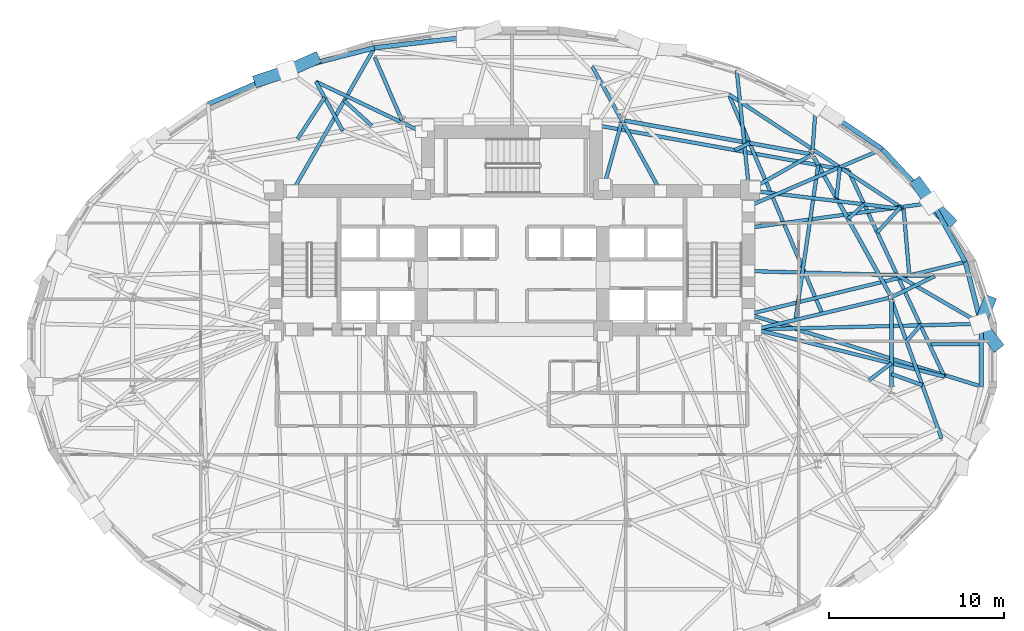
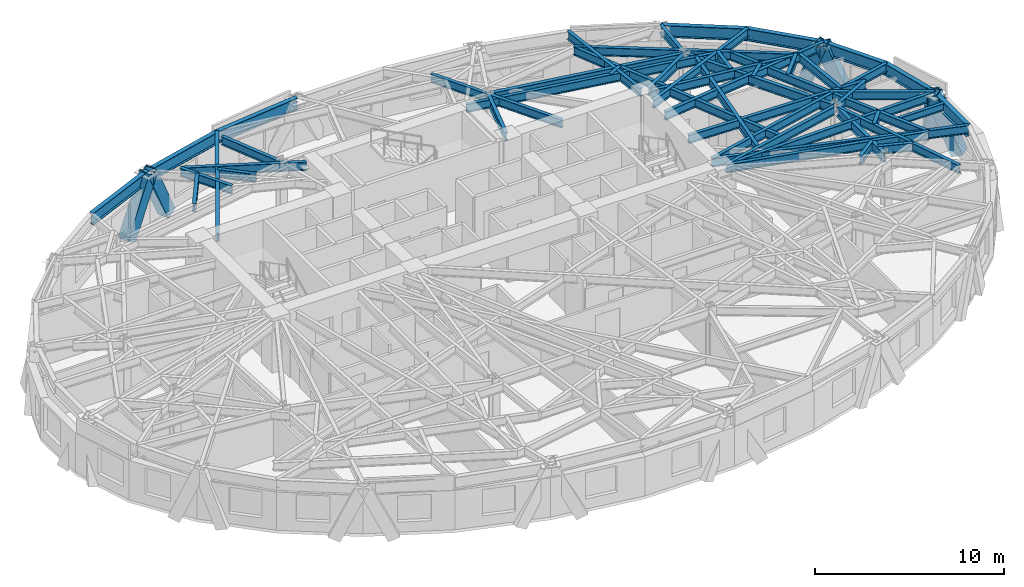
# One storey, part 4 of 15: 48 beams, 6 members.
"""IFC4 building model written with IfcOpenShell, lengths in metres."""

from ifc_helpers import new_model, si_unit, direction, frame, origin, origin_2d, place, context, subcontext, project, spatial, hollow_rectangle, i_section, extrude, material, material_profile, profile_set, type_object, element, save


model = new_model("IFC4")

# Units and contexts
model_context = context("Model", 3, precision=1e-05, world=origin(), true_north=direction((0.0, 1.0)))
body_context = subcontext(model_context, "Body", "Model", "MODEL_VIEW")
ifc_project = project(units=[si_unit("LENGTHUNIT", "METRE"), si_unit("AREAUNIT", "SQUARE_METRE"), si_unit("VOLUMEUNIT", "CUBIC_METRE"), si_unit("PLANEANGLEUNIT", "RADIAN"), si_unit("MASSUNIT", "GRAM", prefix="KILO")], contexts=[model_context])

# Site, building, storey
site_placement = place(None, origin())
site = spatial("IfcSite", under=ifc_project, at=site_placement, CompositionType="ELEMENT")
building_placement = place(site_placement, origin())
building = spatial("IfcBuilding", under=site, at=building_placement, Name="Keldmark Tower", CompositionType="ELEMENT")
storey_placement = place(building_placement, frame((0.0, 0.0, 110.60009765625)))
storey = spatial("IfcBuildingStorey", under=building, at=storey_placement, Name="L29", CompositionType="ELEMENT", Elevation=110.60009765625)

# Beam
ifc_material_1 = material(Name="Steel ASTM A992 Grade 50", Category="steel")
ifc_material_profile_1 = material_profile(ifc_material_1, i_section(OverallWidth=0.19091796875, OverallDepth=0.45703125, WebThickness=0.009033203125, FlangeThickness=0.014404296875, at=origin_2d()), Name="W18X50")
ifc_profile_set_1 = profile_set([ifc_material_profile_1], Name="Steel ASTM A992 Grade 50")
beam_type_1 = type_object("IfcBeamType", Name="Composite Floor Joist W18X50", PredefinedType="JOIST", material=ifc_profile_set_1)
beam_1_placement = place(storey_placement, frame((23.96826171875, 0.6201171875, 3.081298828125), z_axis=(1.0, 0.0, 0.0), x_axis=(0.0, 1.0, 0.0)))
element("IfcBeam", 1, at=beam_1_placement, inside=storey, type_object=beam_type_1, Name="L29 Composite Floor Joist J08", PredefinedType="JOIST", context=body_context, shape_type="SweptSolid", body=[
    extrude(i_section(OverallWidth=0.19091796875, OverallDepth=0.45703125, WebThickness=0.009033203125, FlangeThickness=0.014404296875, at=origin_2d()), origin(), (0.0, 0.0, 1.0), 2.72705078125),
])

# Members
ifc_material_2 = material(Name="Steel ASTM A572 Grade 50", Category="steel")
ifc_material_profile_2 = material_profile(ifc_material_2, hollow_rectangle(XDim=0.699951171875, YDim=0.699951171875, WallThickness=0.044921875, at=origin_2d()), Name="BOX700X700X45")
ifc_profile_set_2 = profile_set([ifc_material_profile_2], Name="Steel ASTM A572 Grade 50")
member_type = type_object("IfcMemberType", Name="Diagrid Zone 2 Brace BOX700X700X45", PredefinedType="BRACE", material=ifc_profile_set_2)
member_1_placement = place(storey_placement, frame((27.25830078125, 3.0458984375, -0.27001953125), z_axis=(-0.133894710136, -0.339335710427, 0.931087258116), x_axis=(0.930205389698, -0.367039416109, 0.0)))
element("IfcMember", 2, at=member_1_placement, inside=storey, type_object=member_type, Name="L29 Perimeter Diagrid Brace 01A", PredefinedType="BRACE", context=body_context, shape_type="SweptSolid", body=[
    extrude(hollow_rectangle(XDim=0.699951171875, YDim=0.699951171875, WallThickness=0.044921875, at=origin_2d()), origin(), (0.0, 0.0, 1.0), 3.716064453125),
])
member_2_placement = place(storey_placement, frame((24.978759765625, 7.6689453125, -0.27001953125), z_axis=(-0.267017097952, 0.273407250724, 0.924094337529), x_axis=(-0.715417829902, -0.698696878953, 0.0)))
element("IfcMember", 3, at=member_2_placement, inside=storey, type_object=member_type, Name="L29 Perimeter Diagrid Brace 01B", PredefinedType="BRACE", context=body_context, shape_type="SweptSolid", body=[
    extrude(hollow_rectangle(XDim=0.699951171875, YDim=0.699951171875, WallThickness=0.044921875, at=origin_2d()), origin(), (0.0, 0.0, 1.0), 3.744140625),
])
member_3_placement = place(storey_placement, frame((23.20556640625, 9.76953125, -0.27001953125), z_axis=(0.209690541704, -0.293277166928, 0.932747758013), x_axis=(0.813462018003, 0.581618040699, 0.0)))
element("IfcMember", 4, at=member_3_placement, inside=storey, type_object=member_type, Name="L29 Perimeter Diagrid Brace 02A", PredefinedType="BRACE", context=body_context, shape_type="SweptSolid", body=[
    extrude(hollow_rectangle(XDim=0.699951171875, YDim=0.699951171875, WallThickness=0.044921875, at=origin_2d()), origin(), (0.0, 0.0, 1.0), 3.70947265625),
])
member_4_placement = place(storey_placement, frame((-11.321044921875, 16.91455078125, -0.27001953125), z_axis=(-0.393553094154, -0.176468647201, 0.902205507984), x_axis=(0.409149138835, -0.91246752391, 0.0)))
element("IfcMember", 5, at=member_4_placement, inside=storey, type_object=member_type, Name="L29 Perimeter Diagrid Brace 05B", PredefinedType="BRACE", context=body_context, shape_type="SweptSolid", body=[
    extrude(hollow_rectangle(XDim=0.699951171875, YDim=0.699951171875, WallThickness=0.044921875, at=origin_2d()), origin(), (0.0, 0.0, 1.0), 3.8349609375),
])
member_5_placement = place(storey_placement, frame((-14.4248046875, 15.7138671875, -0.27001953125), z_axis=(0.416924151508, 0.137262893554, 0.898517195129), x_axis=(-0.312715675163, 0.949846780543, 0.0)))
element("IfcMember", 6, at=member_5_placement, inside=storey, type_object=member_type, Name="L29 Perimeter Diagrid Brace 06A", PredefinedType="BRACE", context=body_context, shape_type="SweptSolid", body=[
    extrude(hollow_rectangle(XDim=0.699951171875, YDim=0.699951171875, WallThickness=0.044921875, at=origin_2d()), origin(), (0.0, 0.0, 1.0), 3.850830078125),
])
member_6_placement = place(storey_placement, frame((27.656005859375, 0.622802734375, -0.27001953125), z_axis=(-0.237991810222, 0.31204380244, 0.919776366094), x_axis=(-0.795131714041, -0.606436771087, 0.0)))
element("IfcMember", 7, at=member_6_placement, inside=storey, type_object=member_type, Name="L29 Perimeter Diagrid Brace 16B", PredefinedType="BRACE", context=body_context, shape_type="SweptSolid", body=[
    extrude(hollow_rectangle(XDim=0.699951171875, YDim=0.699951171875, WallThickness=0.044921875, at=origin_2d()), origin(), (0.0, 0.0, 1.0), 3.76171875),
])

# Beams
ifc_material_3 = material(Name="Steel ASTM A992 Grade 50", Category="steel")
ifc_material_profile_3 = material_profile(ifc_material_3, i_section(OverallWidth=0.22900390625, OverallDepth=0.612060546875, WebThickness=0.011962890625, FlangeThickness=0.01953125, at=origin_2d()), Name="W24X84")
ifc_profile_set_3 = profile_set([ifc_material_profile_3], Name="Steel ASTM A992 Grade 50")
beam_type_2 = type_object("IfcBeamType", Name="Primary Floor Girder W24X84", PredefinedType="BEAM", material=ifc_profile_set_3)
beam_2_placement = place(storey_placement, frame((21.62890625, 3.432373046875, 3.00390625), z_axis=(-0.484951836703, 0.874540860154, 0.0), x_axis=(-0.874540860154, -0.484951836703, 0.0)))
element("IfcBeam", 8, at=beam_2_placement, inside=storey, type_object=beam_type_2, Name="L29 Floor Ring Girder FG-R01", PredefinedType="BEAM", context=body_context, shape_type="SweptSolid", body=[
    extrude(i_section(OverallWidth=0.22900390625, OverallDepth=0.612060546875, WebThickness=0.011962890625, FlangeThickness=0.01953125, at=origin_2d()), origin(), (0.0, 0.0, 1.0), 9.060302734375),
])
beam_3_placement = place(storey_placement, frame((17.029296875, 11.503173828125, 3.00390625), z_axis=(-0.984218266992, 0.176958760505, 0.0), x_axis=(-0.176958760505, -0.984218266992, 0.0)))
element("IfcBeam", 9, at=beam_3_placement, inside=storey, type_object=beam_type_2, Name="L29 Floor Ring Girder FG-R02", PredefinedType="BEAM", context=body_context, shape_type="SweptSolid", body=[
    extrude(i_section(OverallWidth=0.22900390625, OverallDepth=0.612060546875, WebThickness=0.011962890625, FlangeThickness=0.01953125, at=origin_2d()), origin(), (0.0, 0.0, 1.0), 10.7626953125),
])
beam_4_placement = place(storey_placement, frame((21.697021484375, -1.825927734375, 3.00390625), z_axis=(0.0, 1.0, 0.0), x_axis=(-1.0, 0.0, 0.0)))
element("IfcBeam", 10, at=beam_4_placement, inside=storey, type_object=beam_type_2, Name="L29 Floor Ring Girder FG-R12", PredefinedType="BEAM", context=body_context, shape_type="SweptSolid", body=[
    extrude(i_section(OverallWidth=0.22900390625, OverallDepth=0.612060546875, WebThickness=0.011962890625, FlangeThickness=0.01953125, at=origin_2d()), origin(), (0.0, 0.0, 1.0), 4.995849609375),
])
ifc_material_4 = material(Name="Steel ASTM A992 Grade 50", Category="steel")
ifc_material_profile_4 = material_profile(ifc_material_4, i_section(OverallWidth=0.2099609375, OverallDepth=0.537109375, WebThickness=0.010986328125, FlangeThickness=0.017333984375, at=origin_2d()), Name="W21X68")
ifc_profile_set_4 = profile_set([ifc_material_profile_4], Name="Steel ASTM A992 Grade 50")
beam_type_3 = type_object("IfcBeamType", Name="Radial Tie Girder W21X68", PredefinedType="BEAM", material=ifc_profile_set_4)
beam_5_placement = place(storey_placement, frame((21.560546875, 3.27783203125, 3.04150390625), z_axis=(-0.973283778272, -0.229605502879, 0.0), x_axis=(0.229605502879, -0.973283778272, 0.0)))
element("IfcBeam", 11, at=beam_5_placement, inside=storey, type_object=beam_type_3, Name="L29 Floor Radial Girder FG-C01", PredefinedType="BEAM", context=body_context, shape_type="SweptSolid", body=[
    extrude(i_section(OverallWidth=0.2099609375, OverallDepth=0.537109375, WebThickness=0.010986328125, FlangeThickness=0.017333984375, at=origin_2d()), origin(), (0.0, 0.0, 1.0), 7.85888671875),
])
beam_6_placement = place(storey_placement, frame((17.04541015625, 11.4091796875, 3.04150390625), z_axis=(-0.86928447329, -0.494312152892, 0.0), x_axis=(0.494312152892, -0.86928447329, 0.0)))
element("IfcBeam", 12, at=beam_6_placement, inside=storey, type_object=beam_type_3, Name="L29 Floor Radial Girder FG-C02", PredefinedType="BEAM", context=body_context, shape_type="SweptSolid", body=[
    extrude(i_section(OverallWidth=0.2099609375, OverallDepth=0.537109375, WebThickness=0.010986328125, FlangeThickness=0.017333984375, at=origin_2d()), origin(), (0.0, 0.0, 1.0), 3.6435546875),
])
beam_7_placement = place(storey_placement, frame((6.26171875, 13.297607421875, 3.04150390625), z_axis=(-0.265997186795, -0.963973804944, 0.0), x_axis=(0.963973804944, -0.265997186795, 0.0)))
element("IfcBeam", 13, at=beam_7_placement, inside=storey, type_object=beam_type_3, Name="L29 Floor Radial Girder FG-C03", PredefinedType="BEAM", context=body_context, shape_type="SweptSolid", body=[
    extrude(i_section(OverallWidth=0.2099609375, OverallDepth=0.537109375, WebThickness=0.010986328125, FlangeThickness=0.017333984375, at=origin_2d()), origin(), (0.0, 0.0, 1.0), 3.67138671875),
])
beam_8_placement = place(storey_placement, frame((16.206298828125, 2.014892578125, 3.04150390625), z_axis=(0.145416987342, 0.989370456297, 0.0), x_axis=(-0.989370456297, 0.145416987342, 0.0)))
element("IfcBeam", 14, at=beam_8_placement, inside=storey, type_object=beam_type_3, Name="L29 Framing Pin Header PH-001", PredefinedType="BEAM", context=body_context, shape_type="SweptSolid", body=[
    extrude(i_section(OverallWidth=0.2099609375, OverallDepth=0.537109375, WebThickness=0.010986328125, FlangeThickness=0.017333984375, at=origin_2d()), origin(), (0.0, 0.0, 1.0), 8.945068359375),
])
beam_9_placement = place(storey_placement, frame((4.800048828125, 13.14990234375, 3.04150390625), z_axis=(0.984215869058, -0.176972096938, 0.0), x_axis=(0.176972096938, 0.984215869058, 0.0)))
element("IfcBeam", 15, at=beam_9_placement, inside=storey, type_object=beam_type_3, Name="L29 Sub-Ring Step Girder STP1-M01", PredefinedType="BEAM", context=body_context, shape_type="SweptSolid", body=[
    extrude(i_section(OverallWidth=0.2099609375, OverallDepth=0.537109375, WebThickness=0.010986328125, FlangeThickness=0.017333984375, at=origin_2d()), origin(), (0.0, 0.0, 1.0), 14.667236328125),
])
beam_10_placement = place(storey_placement, frame((20.416748046875, -1.433837890625, 3.04150390625), z_axis=(0.798828570116, 0.601558738251, 0.0), x_axis=(-0.601558738251, 0.798828570116, 0.0)))
element("IfcBeam", 16, at=beam_10_placement, inside=storey, type_object=beam_type_3, Name="L29 Framing Pin Header PH-007", PredefinedType="BEAM", context=body_context, shape_type="SweptSolid", body=[
    extrude(i_section(OverallWidth=0.2099609375, OverallDepth=0.537109375, WebThickness=0.010986328125, FlangeThickness=0.017333984375, at=origin_2d()), origin(), (0.0, 0.0, 1.0), 1.602783203125),
])
beam_11_placement = place(storey_placement, frame((13.89990234375, 1.47509765625, 3.04150390625), z_axis=(0.970272424493, -0.24201533478, 0.0), x_axis=(0.24201533478, 0.970272424493, 0.0)))
element("IfcBeam", 17, at=beam_11_placement, inside=storey, type_object=beam_type_3, Name="L29 Sub-Ring Step Girder STP1-M12", PredefinedType="BEAM", context=body_context, shape_type="SweptSolid", body=[
    extrude(i_section(OverallWidth=0.2099609375, OverallDepth=0.537109375, WebThickness=0.010986328125, FlangeThickness=0.017333984375, at=origin_2d()), origin(), (0.0, 0.0, 1.0), 11.152099609375),
])
beam_12_placement = place(storey_placement, frame((24.720458984375, -1.223876953125, 3.04150390625), z_axis=(-0.422138484686, 0.906531356185, 0.0), x_axis=(-0.906531356185, -0.422138484686, 0.0)))
element("IfcBeam", 18, at=beam_12_placement, inside=storey, type_object=beam_type_3, Name="L29 Perimeter Collector Ring Beam CRG1-M12", PredefinedType="BEAM", context=body_context, shape_type="SweptSolid", body=[
    extrude(i_section(OverallWidth=0.2099609375, OverallDepth=0.537109375, WebThickness=0.010986328125, FlangeThickness=0.017333984375, at=origin_2d()), origin(), (0.0, 0.0, 1.0), 12.992431640625),
])
beam_13_placement = place(storey_placement, frame((19.21240234375, 7.790283203125, 3.04150390625), z_axis=(0.743743544804, 0.668465062335, 0.0), x_axis=(-0.668465062335, 0.743743544804, 0.0)))
element("IfcBeam", 19, at=beam_13_placement, inside=storey, type_object=beam_type_3, Name="L29 Framing Pin Header PH-008", PredefinedType="BEAM", context=body_context, shape_type="SweptSolid", body=[
    extrude(i_section(OverallWidth=0.2099609375, OverallDepth=0.537109375, WebThickness=0.010986328125, FlangeThickness=0.017333984375, at=origin_2d()), origin(), (0.0, 0.0, 1.0), 1.2421875),
])
beam_14_placement = place(storey_placement, frame((13.89990234375, 9.375, 3.04150390625), z_axis=(0.992763201345, -0.120088409329, 0.0), x_axis=(0.120088409329, 0.992763201345, 0.0)))
element("IfcBeam", 20, at=beam_14_placement, inside=storey, type_object=beam_type_3, Name="L29 Sub-Ring Step Girder STP2-M01", PredefinedType="BEAM", context=body_context, shape_type="SweptSolid", body=[
    extrude(i_section(OverallWidth=0.2099609375, OverallDepth=0.537109375, WebThickness=0.010986328125, FlangeThickness=0.017333984375, at=origin_2d()), origin(), (0.0, 0.0, 1.0), 8.552978515625),
])
beam_15_placement = place(storey_placement, frame((12.73974609375, 11.722412109375, 3.04150390625), z_axis=(0.903588762367, 0.428400920312, 0.0), x_axis=(-0.428400920312, 0.903588762367, 0.0)))
element("IfcBeam", 21, at=beam_15_placement, inside=storey, type_object=beam_type_3, Name="L29 Framing Pin Header PH-009", PredefinedType="BEAM", context=body_context, shape_type="SweptSolid", body=[
    extrude(i_section(OverallWidth=0.2099609375, OverallDepth=0.537109375, WebThickness=0.010986328125, FlangeThickness=0.017333984375, at=origin_2d()), origin(), (0.0, 0.0, 1.0), 0.93408203125),
])
beam_16_placement = place(storey_placement, frame((17.736083984375, 2.375732421875, 3.04150390625), z_axis=(-0.391937612278, 0.919991797834, 0.0), x_axis=(-0.919991797834, -0.391937612278, 0.0)))
element("IfcBeam", 22, at=beam_16_placement, inside=storey, type_object=beam_type_3, Name="L29 Sub-Ring Step Girder STP2-M02", PredefinedType="BEAM", context=body_context, shape_type="SweptSolid", body=[
    extrude(i_section(OverallWidth=0.2099609375, OverallDepth=0.537109375, WebThickness=0.010986328125, FlangeThickness=0.017333984375, at=origin_2d()), origin(), (0.0, 0.0, 1.0), 13.6259765625),
])
beam_17_placement = place(storey_placement, frame((8.485595703125, 9.375, 3.04150390625), z_axis=(-0.479562558981, 0.877507693427, 0.0), x_axis=(-0.877507693427, -0.479562558981, 0.0)))
element("IfcBeam", 23, at=beam_17_placement, inside=storey, type_object=beam_type_3, Name="L29 Sub-Ring Step Girder STP2-M03", PredefinedType="BEAM", context=body_context, shape_type="SweptSolid", body=[
    extrude(i_section(OverallWidth=0.2099609375, OverallDepth=0.537109375, WebThickness=0.010986328125, FlangeThickness=0.017333984375, at=origin_2d()), origin(), (0.0, 0.0, 1.0), 8.1123046875),
])
beam_18_placement = place(storey_placement, frame((21.697021484375, -1.076416015625, 3.04150390625), z_axis=(0.939538743088, -0.342442623277, 0.0), x_axis=(0.342442623277, 0.939538743088, 0.0)))
element("IfcBeam", 24, at=beam_18_placement, inside=storey, type_object=beam_type_3, Name="L29 Framing Pin Header PH-015", PredefinedType="BEAM", context=body_context, shape_type="SweptSolid", body=[
    extrude(i_section(OverallWidth=0.2099609375, OverallDepth=0.537109375, WebThickness=0.010986328125, FlangeThickness=0.017333984375, at=origin_2d()), origin(), (0.0, 0.0, 1.0), 1.877197265625),
])
beam_19_placement = place(storey_placement, frame((21.697021484375, 3.169921875, 3.04150390625), z_axis=(0.339348936051, -0.940660565561, 0.0), x_axis=(0.940660565561, 0.339348936051, 0.0)))
element("IfcBeam", 25, at=beam_19_placement, inside=storey, type_object=beam_type_3, Name="L29 Sub-Ring Step Girder STP2-M12", PredefinedType="BEAM", context=body_context, shape_type="SweptSolid", body=[
    extrude(i_section(OverallWidth=0.2099609375, OverallDepth=0.537109375, WebThickness=0.010986328125, FlangeThickness=0.017333984375, at=origin_2d()), origin(), (0.0, 0.0, 1.0), 8.445556640625),
])
beam_20_placement = place(storey_placement, frame((22.390869140625, 8.347900390625, 3.04150390625), z_axis=(-0.835884274466, 0.548905711121, 0.0), x_axis=(-0.548905711121, -0.835884274466, 0.0)))
element("IfcBeam", 26, at=beam_20_placement, inside=storey, type_object=beam_type_3, Name="L29 Perimeter Collector Ring Beam CRG2-M01", PredefinedType="BEAM", context=body_context, shape_type="SweptSolid", body=[
    extrude(i_section(OverallWidth=0.2099609375, OverallDepth=0.537109375, WebThickness=0.010986328125, FlangeThickness=0.017333984375, at=origin_2d()), origin(), (0.0, 0.0, 1.0), 11.957763671875),
])
beam_21_placement = place(storey_placement, frame((22.556640625, 0.78662109375, 3.04150390625), z_axis=(0.656203517865, 0.754583953673, 0.0), x_axis=(-0.754583953673, 0.656203517865, 0.0)))
element("IfcBeam", 27, at=beam_21_placement, inside=storey, type_object=beam_type_3, Name="L29 Framing Pin Header PH-016", PredefinedType="BEAM", context=body_context, shape_type="SweptSolid", body=[
    extrude(i_section(OverallWidth=0.2099609375, OverallDepth=0.537109375, WebThickness=0.010986328125, FlangeThickness=0.017333984375, at=origin_2d()), origin(), (0.0, 0.0, 1.0), 1.218505859375),
])
beam_22_placement = place(storey_placement, frame((13.89990234375, 1.47509765625, 3.04150390625), z_axis=(0.999701667768, 0.024424894305, 0.0), x_axis=(-0.024424894305, 0.999701667768, 0.0)))
element("IfcBeam", 28, at=beam_22_placement, inside=storey, type_object=beam_type_3, Name="L29 Perimeter Radial Tie Girder RT-01", PredefinedType="BEAM", context=body_context, shape_type="SweptSolid", body=[
    extrude(i_section(OverallWidth=0.2099609375, OverallDepth=0.537109375, WebThickness=0.010986328125, FlangeThickness=0.017333984375, at=origin_2d()), origin(), (0.0, 0.0, 1.0), 12.92431640625),
])
beam_23_placement = place(storey_placement, frame((26.8203125, 1.790771484375, 3.04150390625), z_axis=(-0.864973141784, 0.501818158292, 0.0), x_axis=(-0.501818158292, -0.864973141784, 0.0)))
element("IfcBeam", 29, at=beam_23_placement, inside=storey, type_object=beam_type_3, Name="L29 Framing Pin Header PH-017", PredefinedType="BEAM", context=body_context, shape_type="SweptSolid", body=[
    extrude(i_section(OverallWidth=0.2099609375, OverallDepth=0.537109375, WebThickness=0.010986328125, FlangeThickness=0.017333984375, at=origin_2d()), origin(), (0.0, 0.0, 1.0), 5.549560546875),
])
beam_24_placement = place(storey_placement, frame((13.52490234375, 4.80712890625, 3.04150390625), z_axis=(0.999629140862, -0.027231980081, 0.0), x_axis=(0.027231980081, 0.999629140862, 0.0)))
element("IfcBeam", 30, at=beam_24_placement, inside=storey, type_object=beam_type_3, Name="L29 Intermediate Radial Step Girder RT-02M", PredefinedType="BEAM", context=body_context, shape_type="SweptSolid", body=[
    extrude(i_section(OverallWidth=0.2099609375, OverallDepth=0.537109375, WebThickness=0.010986328125, FlangeThickness=0.017333984375, at=origin_2d()), origin(), (0.0, 0.0, 1.0), 10.650634765625),
])
beam_25_placement = place(storey_placement, frame((21.697021484375, 3.309814453125, 3.04150390625), z_axis=(0.898747140206, 0.438467305477, 0.0), x_axis=(-0.438467305477, 0.898747140206, 0.0)))
element("IfcBeam", 31, at=beam_25_placement, inside=storey, type_object=beam_type_3, Name="L29 Local Collector Chord RT-02C", PredefinedType="BEAM", context=body_context, shape_type="SweptSolid", body=[
    extrude(i_section(OverallWidth=0.2099609375, OverallDepth=0.537109375, WebThickness=0.010986328125, FlangeThickness=0.017333984375, at=origin_2d()), origin(), (0.0, 0.0, 1.0), 2.75341796875),
])
beam_26_placement = place(storey_placement, frame((22.390869140625, 8.347900390625, 3.04150390625), z_axis=(0.085652263402, -0.996325092414, 0.0), x_axis=(0.996325092414, 0.085652263402, 0.0)))
element("IfcBeam", 32, at=beam_26_placement, inside=storey, type_object=beam_type_3, Name="L29 Framing Pin Header PH-018", PredefinedType="BEAM", context=body_context, shape_type="SweptSolid", body=[
    extrude(i_section(OverallWidth=0.2099609375, OverallDepth=0.537109375, WebThickness=0.010986328125, FlangeThickness=0.017333984375, at=origin_2d()), origin(), (0.0, 0.0, 1.0), 3.80517578125),
])
beam_27_placement = place(storey_placement, frame((13.52490234375, 2.335693359375, 3.04150390625), z_axis=(0.972027207847, 0.234868276285, 0.0), x_axis=(-0.234868276285, 0.972027207847, 0.0)))
element("IfcBeam", 33, at=beam_27_placement, inside=storey, type_object=beam_type_3, Name="L29 Perimeter Radial Tie Girder RT-02", PredefinedType="BEAM", context=body_context, shape_type="SweptSolid", body=[
    extrude(i_section(OverallWidth=0.2099609375, OverallDepth=0.537109375, WebThickness=0.010986328125, FlangeThickness=0.017333984375, at=origin_2d()), origin(), (0.0, 0.0, 1.0), 12.749267578125),
])
beam_28_placement = place(storey_placement, frame((20.88134765625, 7.020751953125, 3.04150390625), z_axis=(0.679630983999, 0.733554173588, 0.0), x_axis=(-0.733554173588, 0.679630983999, 0.0)))
element("IfcBeam", 34, at=beam_28_placement, inside=storey, type_object=beam_type_3, Name="L29 Framing Pin Header PH-019", PredefinedType="BEAM", context=body_context, shape_type="SweptSolid", body=[
    extrude(i_section(OverallWidth=0.2099609375, OverallDepth=0.537109375, WebThickness=0.010986328125, FlangeThickness=0.017333984375, at=origin_2d()), origin(), (0.0, 0.0, 1.0), 1.96484375),
])
beam_29_placement = place(storey_placement, frame((13.52490234375, 7.278564453125, 3.04150390625), z_axis=(0.990855218662, 0.134929372826, 0.0), x_axis=(-0.134929372826, 0.990855218662, 0.0)))
element("IfcBeam", 35, at=beam_29_placement, inside=storey, type_object=beam_type_3, Name="L29 Perimeter Radial Tie Girder RT-03", PredefinedType="BEAM", context=body_context, shape_type="SweptSolid", body=[
    extrude(i_section(OverallWidth=0.2099609375, OverallDepth=0.537109375, WebThickness=0.010986328125, FlangeThickness=0.017333984375, at=origin_2d()), origin(), (0.0, 0.0, 1.0), 10.6083984375),
])
beam_30_placement = place(storey_placement, frame((18.55322265625, 8.978759765625, 3.04150390625), z_axis=(0.107470814568, 0.994208239765, 0.0), x_axis=(-0.994208239765, 0.107470814568, 0.0)))
element("IfcBeam", 36, at=beam_30_placement, inside=storey, type_object=beam_type_3, Name="L29 Framing Pin Header PH-020", PredefinedType="BEAM", context=body_context, shape_type="SweptSolid", body=[
    extrude(i_section(OverallWidth=0.2099609375, OverallDepth=0.537109375, WebThickness=0.010986328125, FlangeThickness=0.017333984375, at=origin_2d()), origin(), (0.0, 0.0, 1.0), 1.774169921875),
])
beam_31_placement = place(storey_placement, frame((13.52490234375, 8.514404296875, 3.04150390625), z_axis=(0.919674265114, 0.39268211837, 0.0), x_axis=(-0.39268211837, 0.919674265114, 0.0)))
element("IfcBeam", 37, at=beam_31_placement, inside=storey, type_object=beam_type_3, Name="L29 Perimeter Radial Tie Girder RT-04", PredefinedType="BEAM", context=body_context, shape_type="SweptSolid", body=[
    extrude(i_section(OverallWidth=0.2099609375, OverallDepth=0.537109375, WebThickness=0.010986328125, FlangeThickness=0.017333984375, at=origin_2d()), origin(), (0.0, 0.0, 1.0), 8.314453125),
])
beam_32_placement = place(storey_placement, frame((17.1669921875, 11.478271484375, 3.04150390625), z_axis=(0.072168017046, 0.997392489101, 0.0), x_axis=(-0.997392489101, 0.072168017046, 0.0)))
element("IfcBeam", 38, at=beam_32_placement, inside=storey, type_object=beam_type_3, Name="L29 Perimeter Column Bracket RT-05", PredefinedType="BEAM", context=body_context, shape_type="SweptSolid", body=[
    extrude(i_section(OverallWidth=0.2099609375, OverallDepth=0.537109375, WebThickness=0.010986328125, FlangeThickness=0.017333984375, at=origin_2d()), origin(), (0.0, 0.0, 1.0), 2.88232421875),
])
beam_33_placement = place(storey_placement, frame((13.52490234375, 9.75, 3.04150390625), z_axis=(-0.102919404087, 0.99468969848, 0.0), x_axis=(-0.99468969848, -0.102919404087, 0.0)))
element("IfcBeam", 39, at=beam_33_placement, inside=storey, type_object=beam_type_3, Name="L29 Perimeter Radial Tie Girder RT-06", PredefinedType="BEAM", context=body_context, shape_type="SweptSolid", body=[
    extrude(i_section(OverallWidth=0.2099609375, OverallDepth=0.537109375, WebThickness=0.010986328125, FlangeThickness=0.017333984375, at=origin_2d()), origin(), (0.0, 0.0, 1.0), 6.580322265625),
])
beam_34_placement = place(storey_placement, frame((-8.025390625, 13.1220703125, 3.04150390625), z_axis=(-0.737436399369, 0.675416580257, 0.0), x_axis=(-0.675416580257, -0.737436399369, 0.0)))
element("IfcBeam", 40, at=beam_34_placement, inside=storey, type_object=beam_type_3, Name="L29 Framing Pin Header PH-024", PredefinedType="BEAM", context=body_context, shape_type="SweptSolid", body=[
    extrude(i_section(OverallWidth=0.2099609375, OverallDepth=0.537109375, WebThickness=0.010986328125, FlangeThickness=0.017333984375, at=origin_2d()), origin(), (0.0, 0.0, 1.0), 2.117919921875),
])
beam_35_placement = place(storey_placement, frame((-12.54638671875, 9.375, 3.04150390625), z_axis=(0.496219706123, 0.868196984132, 0.0), x_axis=(-0.868196984132, 0.496219706123, 0.0)))
element("IfcBeam", 41, at=beam_35_placement, inside=storey, type_object=beam_type_3, Name="L29 Perimeter Radial Tie Girder RT-10", PredefinedType="BEAM", context=body_context, shape_type="SweptSolid", body=[
    extrude(i_section(OverallWidth=0.2099609375, OverallDepth=0.537109375, WebThickness=0.010986328125, FlangeThickness=0.017333984375, at=origin_2d()), origin(), (0.0, 0.0, 1.0), 9.43994140625),
])
beam_36_placement = place(storey_placement, frame((-5.175048828125, 12.77490234375, 3.04150390625), z_axis=(-0.903805607177, 0.427943249084, 0.0), x_axis=(-0.427943249084, -0.903805607177, 0.0)))
element("IfcBeam", 42, at=beam_36_placement, inside=storey, type_object=beam_type_3, Name="L29 Intermediate Radial Step Girder RT-11M", PredefinedType="BEAM", context=body_context, shape_type="SweptSolid", body=[
    extrude(i_section(OverallWidth=0.2099609375, OverallDepth=0.537109375, WebThickness=0.010986328125, FlangeThickness=0.017333984375, at=origin_2d()), origin(), (0.0, 0.0, 1.0), 6.67431640625),
])
beam_37_placement = place(storey_placement, frame((-9.671142578125, 12.826171875, 3.04150390625), z_axis=(-0.480338393979, 0.877083249908, 0.0), x_axis=(-0.877083249908, -0.480338393979, 0.0)))
element("IfcBeam", 43, at=beam_37_placement, inside=storey, type_object=beam_type_3, Name="L29 Local Collector Chord RT-11C", PredefinedType="BEAM", context=body_context, shape_type="SweptSolid", body=[
    extrude(i_section(OverallWidth=0.2099609375, OverallDepth=0.537109375, WebThickness=0.010986328125, FlangeThickness=0.017333984375, at=origin_2d()), origin(), (0.0, 0.0, 1.0), 3.197998046875),
])
beam_38_placement = place(storey_placement, frame((-12.2626953125, 12.360107421875, 3.04150390625), z_axis=(0.548211534236, 0.836339711918, 0.0), x_axis=(-0.836339711918, 0.548211534236, 0.0)))
element("IfcBeam", 44, at=beam_38_placement, inside=storey, type_object=beam_type_3, Name="L29 Framing Pin Header PH-025", PredefinedType="BEAM", context=body_context, shape_type="SweptSolid", body=[
    extrude(i_section(OverallWidth=0.2099609375, OverallDepth=0.537109375, WebThickness=0.010986328125, FlangeThickness=0.017333984375, at=origin_2d()), origin(), (0.0, 0.0, 1.0), 2.829345703125),
])
beam_39_placement = place(storey_placement, frame((13.52490234375, 2.335693359375, 3.04150390625), z_axis=(0.955057973747, -0.296419072905, 0.0), x_axis=(0.296419072905, 0.955057973747, 0.0)))
element("IfcBeam", 45, at=beam_39_placement, inside=storey, type_object=beam_type_3, Name="L29 Perimeter Radial Tie Girder RT-32", PredefinedType="BEAM", context=body_context, shape_type="SweptSolid", body=[
    extrude(i_section(OverallWidth=0.2099609375, OverallDepth=0.537109375, WebThickness=0.010986328125, FlangeThickness=0.017333984375, at=origin_2d()), origin(), (0.0, 0.0, 1.0), 13.921142578125),
])
beam_40_placement = place(storey_placement, frame((-6.298828125, 13.4326171875, 3.04150390625), z_axis=(-0.395437186935, 0.918493021851, 0.0), x_axis=(-0.918493021851, -0.395437186935, 0.0)))
element("IfcBeam", 46, at=beam_40_placement, inside=storey, type_object=beam_type_3, Name="L29 North Column Cantilever Girder West FG-TCN-W", PredefinedType="BEAM", context=body_context, shape_type="SweptSolid", body=[
    extrude(i_section(OverallWidth=0.2099609375, OverallDepth=0.537109375, WebThickness=0.010986328125, FlangeThickness=0.017333984375, at=origin_2d()), origin(), (0.0, 0.0, 1.0), 3.919921875),
])
ifc_material_5 = material(Name="Steel ASTM A992 Grade 50", Category="steel")
ifc_material_profile_5 = material_profile(ifc_material_5, i_section(OverallWidth=0.26806640625, OverallDepth=0.77001953125, WebThickness=0.015625, FlangeThickness=0.025390625, at=origin_2d()), Name="W30X132")
ifc_profile_set_5 = profile_set([ifc_material_profile_5], Name="Steel ASTM A992 Grade 50")
beam_type_4 = type_object("IfcBeamType", Name="Spandrel Ring Beam W30X132", PredefinedType="SPANDREL", material=ifc_profile_set_5)
beam_41_placement = place(storey_placement, frame((26.8203125, 1.790771484375, 2.9248046875), z_axis=(-0.247172296022, 0.968971545547, 0.0), x_axis=(-0.968971545547, -0.247172296022, 0.0)))
element("IfcBeam", 47, at=beam_41_placement, inside=storey, type_object=beam_type_4, Name="L29 Perimeter Spandrel Ring Beam SRB-01", PredefinedType="SPANDREL", context=body_context, shape_type="SweptSolid", body=[
    extrude(i_section(OverallWidth=0.26806640625, OverallDepth=0.77001953125, WebThickness=0.015625, FlangeThickness=0.025390625, at=origin_2d()), origin(), (0.0, 0.0, 1.0), 3.652587890625),
])
beam_42_placement = place(storey_placement, frame((25.91748046875, 5.330078125, 2.9248046875), z_axis=(-0.486312657137, 0.873784870267, 0.0), x_axis=(-0.873784870267, -0.486312657137, 0.0)))
element("IfcBeam", 48, at=beam_42_placement, inside=storey, type_object=beam_type_4, Name="L29 Perimeter Spandrel Ring Beam SRB-02", PredefinedType="SPANDREL", context=body_context, shape_type="SweptSolid", body=[
    extrude(i_section(OverallWidth=0.26806640625, OverallDepth=0.77001953125, WebThickness=0.015625, FlangeThickness=0.025390625, at=origin_2d()), origin(), (0.0, 0.0, 1.0), 3.8681640625),
])
beam_43_placement = place(storey_placement, frame((24.036376953125, 8.7099609375, 2.9248046875), z_axis=(-0.682353469166, 0.73102239577, 0.0), x_axis=(-0.73102239577, -0.682353469166, 0.0)))
element("IfcBeam", 49, at=beam_43_placement, inside=storey, type_object=beam_type_4, Name="L29 Perimeter Spandrel Ring Beam SRB-03", PredefinedType="SPANDREL", context=body_context, shape_type="SweptSolid", body=[
    extrude(i_section(OverallWidth=0.26806640625, OverallDepth=0.77001953125, WebThickness=0.015625, FlangeThickness=0.025390625, at=origin_2d()), origin(), (0.0, 0.0, 1.0), 4.19873046875),
])
beam_44_placement = place(storey_placement, frame((21.17138671875, 11.779296875, 2.9248046875), z_axis=(-0.827717717125, 0.561144705719, 0.0), x_axis=(-0.561144705719, -0.827717717125, 0.0)))
element("IfcBeam", 50, at=beam_44_placement, inside=storey, type_object=beam_type_4, Name="L29 Perimeter Spandrel Ring Beam SRB-04", PredefinedType="SPANDREL", context=body_context, shape_type="SweptSolid", body=[
    extrude(i_section(OverallWidth=0.26806640625, OverallDepth=0.77001953125, WebThickness=0.015625, FlangeThickness=0.025390625, at=origin_2d()), origin(), (0.0, 0.0, 1.0), 4.586669921875),
])
beam_45_placement = place(storey_placement, frame((-2.6416015625, 18.1826171875, 2.9248046875), z_axis=(-0.993202502633, -0.116399264444, 0.0), x_axis=(0.116399264444, -0.993202502633, 0.0)))
element("IfcBeam", 51, at=beam_45_placement, inside=storey, type_object=beam_type_4, Name="L29 Perimeter Spandrel Ring Beam SRB-09", PredefinedType="SPANDREL", context=body_context, shape_type="SweptSolid", body=[
    extrude(i_section(OverallWidth=0.26806640625, OverallDepth=0.77001953125, WebThickness=0.015625, FlangeThickness=0.025390625, at=origin_2d()), origin(), (0.0, 0.0, 1.0), 5.256103515625),
])
beam_46_placement = place(storey_placement, frame((-7.862060546875, 17.57080078125, 2.9248046875), z_axis=(-0.968802439575, -0.247834285507, 0.0), x_axis=(0.247834285507, -0.968802439575, 0.0)))
element("IfcBeam", 52, at=beam_46_placement, inside=storey, type_object=beam_type_4, Name="L29 Perimeter Spandrel Ring Beam SRB-10", PredefinedType="SPANDREL", context=body_context, shape_type="SweptSolid", body=[
    extrude(i_section(OverallWidth=0.26806640625, OverallDepth=0.77001953125, WebThickness=0.015625, FlangeThickness=0.025390625, at=origin_2d()), origin(), (0.0, 0.0, 1.0), 5.146240234375),
])
beam_47_placement = place(storey_placement, frame((-12.84765625, 16.29541015625, 2.9248046875), z_axis=(-0.918991161346, -0.394278131993, 0.0), x_axis=(0.394278131993, -0.918991161346, 0.0)))
element("IfcBeam", 53, at=beam_47_placement, inside=storey, type_object=beam_type_4, Name="L29 Perimeter Spandrel Ring Beam SRB-11", PredefinedType="SPANDREL", context=body_context, shape_type="SweptSolid", body=[
    extrude(i_section(OverallWidth=0.26806640625, OverallDepth=0.77001953125, WebThickness=0.015625, FlangeThickness=0.025390625, at=origin_2d()), origin(), (0.0, 0.0, 1.0), 4.926513671875),
])
beam_48_placement = place(storey_placement, frame((26.8203125, -1.790771484375, 2.9248046875), z_axis=(0.0, 1.0, 0.0), x_axis=(-1.0, 0.0, 0.0)))
element("IfcBeam", 54, at=beam_48_placement, inside=storey, type_object=beam_type_4, Name="L29 Perimeter Spandrel Ring Beam SRB-32", PredefinedType="SPANDREL", context=body_context, shape_type="SweptSolid", body=[
    extrude(i_section(OverallWidth=0.26806640625, OverallDepth=0.77001953125, WebThickness=0.015625, FlangeThickness=0.025390625, at=origin_2d()), origin(), (0.0, 0.0, 1.0), 3.58154296875),
])

save(model, "model.ifc")
